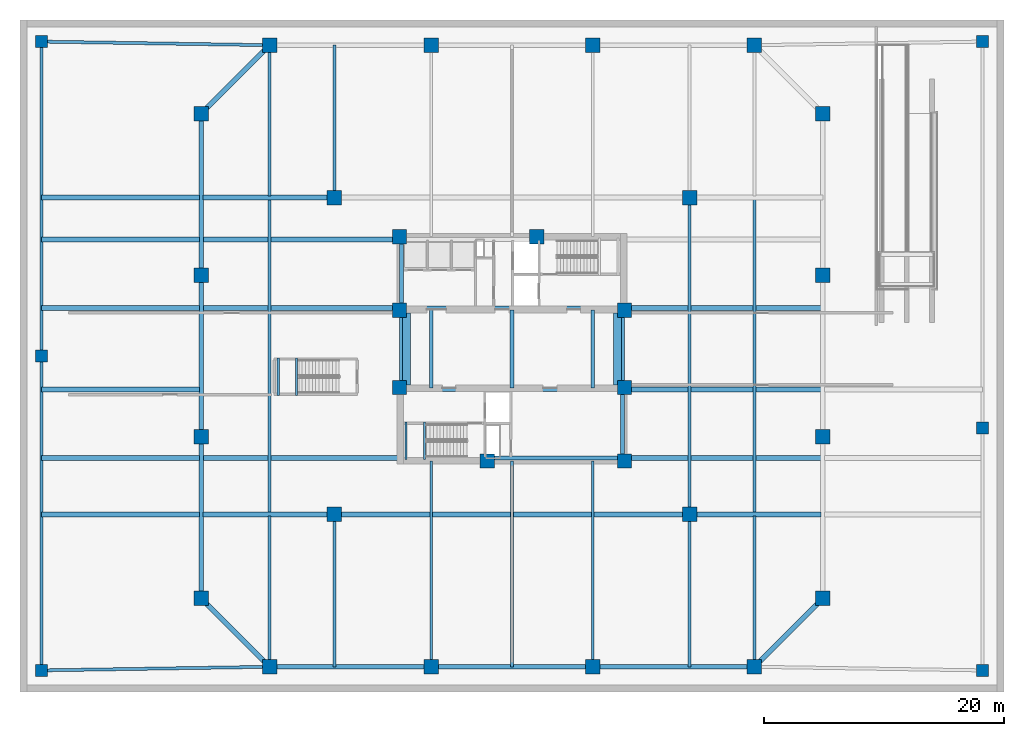
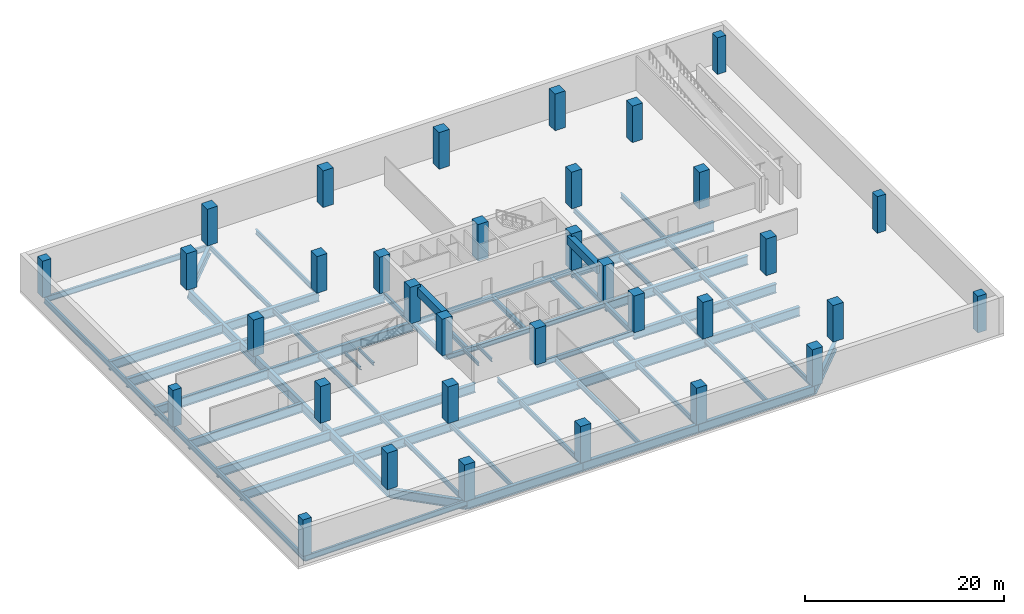
# One storey, part 1 of 8: 57 beams, 34 columns.
"""IFC4 building model written with IfcOpenShell, lengths in metres."""

import ifcopenshell
import ifcopenshell.guid

model = None  # the IFC model being written
_history = None  # IfcOwnerHistory: only IFC2X3 demands one
_inside = {}  # id of a spatial element -> (the spatial element, [elements in it])
_under = {}  # id of a project, library or spatial element -> (it, [spatial elements below it])
_declared = {}  # id of a project -> (the project, [libraries it declares])
_typed = {}  # id of a type object -> (the type object, [elements of that type])
_made_of = {}  # id of a material, layer set ... -> (it, [elements and type objects made of it])


def new_model(schema):
    """Start an empty IFC model of exactly this schema.

    Asked for "IFC4X3", IfcOpenShell would pick the latest addendum, in which some entities
    have other attributes; the version numbers below select the first issue.
    IFC2X3 requires an IfcOwnerHistory on every rooted entity: one is made here for all.
    """
    global model, _history
    if schema == "IFC4X3":
        model = ifcopenshell.file(schema_version=(4, 3, 0, 0))
    else:
        model = ifcopenshell.file(schema=schema)
    _inside.clear()
    _under.clear()
    _declared.clear()
    _typed.clear()
    _made_of.clear()
    _history = None
    if model.schema == "IFC2X3":
        org = make("IfcOrganization", Name="unknown")
        user = make(
            "IfcPersonAndOrganization",
            ThePerson=make("IfcPerson", FamilyName="unknown"),
            TheOrganization=org,
        )
        app = make(
            "IfcApplication",
            ApplicationDeveloper=org,
            Version="unknown",
            ApplicationFullName="unknown",
            ApplicationIdentifier="unknown",
        )
        _history = make(
            "IfcOwnerHistory",
            OwningUser=user,
            OwningApplication=app,
            ChangeAction="ADDED",
            CreationDate=0,
        )
    return model


def make(cls, **values):
    """One entity of the class cls with the attributes given. An attribute that is None is left unset."""
    return model.create_entity(
        cls, **{name: value for name, value in values.items() if value is not None}
    )


def rooted(cls, **values):
    """An entity with a GlobalId (a new one), such as an element, a storey or a relation."""
    return make(cls, GlobalId=ifcopenshell.guid.new(), OwnerHistory=_history, **values)


def si_unit(unit_type, name, prefix=None):
    """IfcSIUnit, for example si_unit("LENGTHUNIT", "METRE", prefix="MILLI")."""
    return make("IfcSIUnit", UnitType=unit_type, Prefix=prefix, Name=name)


def assignment(units):
    """IfcUnitAssignment: the units of a project."""
    return None if units is None else make("IfcUnitAssignment", Units=units)


def point(xyz):
    """IfcCartesianPoint."""
    return None if xyz is None else make("IfcCartesianPoint", Coordinates=xyz)


def direction(xyz):
    """IfcDirection."""
    return None if xyz is None else make("IfcDirection", DirectionRatios=xyz)


def frame(location, z_axis=None, x_axis=None):
    """IfcAxis2Placement3D, a coordinate frame: its origin and axes. An axis left out is left unset."""
    return make(
        "IfcAxis2Placement3D",
        Location=point(location),
        Axis=direction(z_axis),
        RefDirection=direction(x_axis),
    )


def frame_2d(location, x_axis=None):
    """IfcAxis2Placement2D, a coordinate frame in the plane: its origin and x axis."""
    return make(
        "IfcAxis2Placement2D", Location=point(location), RefDirection=direction(x_axis)
    )


def origin():
    """The frame at (0, 0, 0) with its axes left unset."""
    return frame((0.0, 0.0, 0.0))


def origin_2d():
    """The frame at (0, 0) in the plane with its x axis left unset."""
    return frame_2d((0.0, 0.0))


def place(relative_to, where):
    """IfcLocalPlacement: puts the frame where relative to a parent placement (None: the world)."""
    return make(
        "IfcLocalPlacement", PlacementRelTo=relative_to, RelativePlacement=where
    )


def context(
    kind, dimensions, precision=None, world=None, true_north=None, identifier=None
):
    """IfcGeometricRepresentationContext, for example the 3D "Model" context."""
    return make(
        "IfcGeometricRepresentationContext",
        ContextIdentifier=identifier,
        ContextType=kind,
        CoordinateSpaceDimension=dimensions,
        Precision=precision,
        WorldCoordinateSystem=world,
        TrueNorth=true_north,
    )


def subcontext(parent, identifier, kind, view, scale=None):
    """IfcGeometricRepresentationSubContext, for example "Body" below "Model"."""
    return make(
        "IfcGeometricRepresentationSubContext",
        ContextIdentifier=identifier,
        ContextType=kind,
        ParentContext=parent,
        TargetScale=scale,
        TargetView=view,
    )


def project(units=None, contexts=None):
    """IfcProject with its units and contexts."""
    return rooted(
        "IfcProject",
        Name="project",
        RepresentationContexts=contexts,
        UnitsInContext=assignment(units),
    )


def spatial(cls, under=None, at=None, **own):
    """A site, building, storey or space (cls), placed at a placement, below another one or the project."""
    s = rooted(cls, ObjectPlacement=at, **own)
    if under is not None:
        _under.setdefault(under.id(), (under, []))[1].append(s)
    return s


def profile(cls, at=None, kind="AREA", **sizes):
    """A parametric profile (cls). Its sizes go by their IFC names, for example OverallWidth=200.0."""
    return make(cls, ProfileType=kind, Position=at, **sizes)


def rectangle(**sizes):
    """IfcRectangleProfileDef."""
    return profile("IfcRectangleProfileDef", **sizes)


def i_section(**sizes):
    """IfcIShapeProfileDef."""
    return profile("IfcIShapeProfileDef", **sizes)


def extrude(swept, where, along, depth):
    """IfcExtrudedAreaSolid: the profile swept, set in the frame where, extruded along a direction by depth."""
    return make(
        "IfcExtrudedAreaSolid",
        SweptArea=swept,
        Position=where,
        ExtrudedDirection=direction(along),
        Depth=depth,
    )


def shape(context_of_items, identifier, shape_type, items):
    """IfcShapeRepresentation: the items that make up one representation, for example the "Body"."""
    return make(
        "IfcShapeRepresentation",
        ContextOfItems=context_of_items,
        RepresentationIdentifier=identifier,
        RepresentationType=shape_type,
        Items=items,
    )


def material(Name=None, Category=None):
    """IfcMaterial."""
    return make("IfcMaterial", Name=Name, Category=Category)


def material_profile(
    of_material, cross_section, Name=None, Category=None, Priority=None
):
    """IfcMaterialProfile: a cross section and its material."""
    return make(
        "IfcMaterialProfile",
        Name=Name,
        Material=of_material,
        Profile=cross_section,
        Priority=Priority,
        Category=Category,
    )


def profile_set(profiles, Name=None, composite=None):
    """IfcMaterialProfileSet."""
    return make(
        "IfcMaterialProfileSet",
        Name=Name,
        MaterialProfiles=profiles,
        CompositeProfile=composite,
    )


def made_of(thing, what):
    """Note that an element or type object is made of a material, layer set ...; save() writes the relation."""
    if what is not None:
        _made_of.setdefault(what.id(), (what, []))[1].append(thing)
    return thing


def type_object(cls, material=None, **own):
    """A type object (cls), such as IfcWallType, which elements share."""
    return made_of(rooted(cls, **own), material)


def element(
    cls,
    number,
    at=None,
    inside=None,
    cuts=None,
    type_object=None,
    material=None,
    context=None,
    identifier="Body",
    shape_type=None,
    held_by="IfcProductDefinitionShape",
    body=None,
    shapes=None,
    **own,
):
    """One element of the class cls, such as IfcWall. Its Tag is "e" and its number.

    at: its placement. inside: the storey or other place that contains it. cuts: it is an
    opening in that element (IfcRelVoidsElement). A single representation is given by context,
    identifier, shape_type and body (its items); several are given by shapes. held_by: the class
    of the entity that holds the representations. save() writes the other relations.
    """
    e = rooted(cls, Tag="e%d" % number, ObjectPlacement=at, **own)
    if body is not None:
        shapes = [shape(context, identifier, shape_type, body)]
    if shapes is not None:
        e.Representation = make(held_by, Representations=shapes)
    if inside is not None:
        _inside.setdefault(inside.id(), (inside, []))[1].append(e)
    if cuts is not None:
        rooted(
            "IfcRelVoidsElement", RelatingBuildingElement=cuts, RelatedOpeningElement=e
        )
    if type_object is not None:
        _typed.setdefault(type_object.id(), (type_object, []))[1].append(e)
    return made_of(e, material)


def aggregate(whole, parts):
    """IfcRelAggregates: a whole, such as a stair, and the parts it consists of."""
    return rooted("IfcRelAggregates", RelatingObject=whole, RelatedObjects=parts)


def save(model, path):
    """Write the relations noted so far, then the file.

    IfcRelAggregates (storeys below a building ...), IfcRelContainedInSpatialStructure (elements
    in a storey), IfcRelDefinesByType, IfcRelAssociatesMaterial and IfcRelDeclares: one each for
    every whole, place, type object, material and project.
    """
    for whole, parts in _under.values():
        aggregate(whole, parts)
    for where, things in _inside.values():
        rooted(
            "IfcRelContainedInSpatialStructure",
            RelatedElements=things,
            RelatingStructure=where,
        )
    for kind, things in _typed.values():
        rooted("IfcRelDefinesByType", RelatedObjects=things, RelatingType=kind)
    for what, things in _made_of.values():
        rooted("IfcRelAssociatesMaterial", RelatedObjects=things, RelatingMaterial=what)
    for by, libraries in _declared.values():
        rooted("IfcRelDeclares", RelatingContext=by, RelatedDefinitions=libraries)
    model.write(path)


model = new_model("IFC4")

# Units and contexts
model_context = context("Model", 3, precision=1e-05, world=origin(), true_north=direction((0.0, 1.0)))
body_context = subcontext(model_context, "Body", "Model", "MODEL_VIEW")
ifc_project = project(units=[si_unit("LENGTHUNIT", "METRE"), si_unit("AREAUNIT", "SQUARE_METRE"), si_unit("VOLUMEUNIT", "CUBIC_METRE"), si_unit("PLANEANGLEUNIT", "RADIAN"), si_unit("MASSUNIT", "GRAM", prefix="KILO")], contexts=[model_context])

# Site, building, storey
site_placement = place(None, origin())
site = spatial("IfcSite", under=ifc_project, at=site_placement, CompositionType="ELEMENT")
building_placement = place(site_placement, origin())
building = spatial("IfcBuilding", under=site, at=building_placement, Name="Qhalaya Broadcast Tower", CompositionType="ELEMENT")
storey_placement = place(building_placement, frame((0.0, 0.0, -4.5)))
storey = spatial("IfcBuildingStorey", under=building, at=storey_placement, Name="B01", CompositionType="ELEMENT", Elevation=-4.5)

# Columns
ifc_material_1 = material(Name="Concrete C60/75", Category="concrete")
ifc_material_profile_1 = material_profile(ifc_material_1, rectangle(XDim=1.0, YDim=1.0, at=origin_2d()), Name="RC-COL 1000x1000")
ifc_profile_set_1 = profile_set([ifc_material_profile_1], Name="Concrete C60/75")
column_type_1 = type_object("IfcColumnType", Name="RC Podium Column C09", PredefinedType="COLUMN", material=ifc_profile_set_1)
for number, where, z_axis, x_axis, name in (
    (1, (-39.199951171875, 0.0, 0.0), (0.0, 0.0, 1.0), (1.0, 0.0, 0.0), "B01 Column COL-E1"),
    (2, (39.199951171875, -6.0, 0.0), (0.0, 0.0, 1.0), (1.0, 0.0, 0.0), "B01 Column COL-E2"),
    (3, (-39.199951171875, -26.199951171875, 0.0), (0.0, 0.0, 1.0), (1.0, 0.0, 0.0), "B01 Column COL-E3"),
    (4, (39.199951171875, -26.199951171875, 0.0), (0.0, 0.0, 1.0), (1.0, 0.0, 0.0), "B01 Column COL-E4"),
    (5, (-39.199951171875, 26.199951171875, 0.0), (0.0, 0.0, 1.0), (1.0, 0.0, 0.0), "B01 Column COL-E5"),
    (6, (39.199951171875, 26.199951171875, 0.0), (0.0, 0.0, 1.0), (1.0, 0.0, 0.0), "B01 Column COL-E6"),
):
    element("IfcColumn", number, at=place(storey_placement, frame(where, z_axis=z_axis, x_axis=x_axis)), inside=storey, type_object=column_type_1, Name=name, PredefinedType="COLUMN", context=body_context, shape_type="SweptSolid", body=[
        extrude(rectangle(XDim=1.0, YDim=1.0, at=origin_2d()), origin(), (0.0, 0.0, 1.0), 4.5),
    ])
ifc_material_profile_2 = material_profile(ifc_material_1, rectangle(XDim=1.199951171875, YDim=1.199951171875, at=origin_2d()), Name="RC-COL 1200x1200")
ifc_profile_set_2 = profile_set([ifc_material_profile_2], Name="Concrete C60/75")
column_type_2 = type_object("IfcColumnType", Name="RC Substructure Column C08", PredefinedType="COLUMN", material=ifc_profile_set_2)
for number, where, z_axis, x_axis, name in (
    (7, (-14.800048828125, -13.199951171875, 0.0), (0.0, 0.0, 1.0), (1.0, 0.0, 0.0), "B01 Column COL-GR1"),
    (8, (14.800048828125, -13.199951171875, 0.0), (0.0, 0.0, 1.0), (1.0, 0.0, 0.0), "B01 Column COL-GR2"),
    (9, (-14.800048828125, 13.199951171875, 0.0), (0.0, 0.0, 1.0), (1.0, 0.0, 0.0), "B01 Column COL-GR3"),
    (10, (14.800048828125, 13.199951171875, 0.0), (0.0, 0.0, 1.0), (1.0, 0.0, 0.0), "B01 Column COL-GR4"),
    (11, (-20.199951171875, -25.89990234375, 0.0), (0.0, 0.0, 1.0), (1.0, 0.0, 0.0), "B01 Column COL-B1P01"),
    (12, (-6.7333984375, -25.89990234375, 0.0), (0.0, 0.0, 1.0), (1.0, 0.0, 0.0), "B01 Column COL-B1P02"),
    (13, (6.7333984375, -25.89990234375, 0.0), (0.0, 0.0, 1.0), (1.0, 0.0, 0.0), "B01 Column COL-B1P03"),
    (14, (20.199951171875, -25.89990234375, 0.0), (0.0, 0.0, 1.0), (1.0, 0.0, 0.0), "B01 Column COL-B1P04"),
    (15, (25.89990234375, -20.199951171875, 0.0), (0.0, 0.0, 1.0), (0.0, 1.0, 0.0), "B01 Column COL-B1P05"),
    (16, (25.89990234375, -6.7333984375, 0.0), (0.0, 0.0, 1.0), (0.0, 1.0, 0.0), "B01 Column COL-B1P06"),
    (17, (25.89990234375, 6.7333984375, 0.0), (0.0, 0.0, 1.0), (0.0, 1.0, 0.0), "B01 Column COL-B1P07"),
    (18, (25.89990234375, 20.199951171875, 0.0), (0.0, 0.0, 1.0), (0.0, 1.0, 0.0), "B01 Column COL-B1P08"),
    (19, (20.199951171875, 25.89990234375, 0.0), (0.0, 0.0, 1.0), (1.0, 0.0, 0.0), "B01 Column COL-B1P09"),
    (20, (6.7333984375, 25.89990234375, 0.0), (0.0, 0.0, 1.0), (1.0, 0.0, 0.0), "B01 Column COL-B1P10"),
    (21, (-6.7333984375, 25.89990234375, 0.0), (0.0, 0.0, 1.0), (1.0, 0.0, 0.0), "B01 Column COL-B1P11"),
    (22, (-20.199951171875, 25.89990234375, 0.0), (0.0, 0.0, 1.0), (1.0, 0.0, 0.0), "B01 Column COL-B1P12"),
    (23, (-25.89990234375, 20.199951171875, 0.0), (0.0, 0.0, 1.0), (0.0, 1.0, 0.0), "B01 Column COL-B1P13"),
    (24, (-25.89990234375, 6.7333984375, 0.0), (0.0, 0.0, 1.0), (0.0, 1.0, 0.0), "B01 Column COL-B1P14"),
    (25, (-25.89990234375, -6.7333984375, 0.0), (0.0, 0.0, 1.0), (0.0, 1.0, 0.0), "B01 Column COL-B1P15"),
    (26, (-25.89990234375, -20.199951171875, 0.0), (0.0, 0.0, 1.0), (0.0, 1.0, 0.0), "B01 Column COL-B1P16"),
    (27, (-9.375, 9.949951171875, 0.0), (0.0, 0.0, 1.0), (1.0, 0.0, 0.0), "B01 Column COL-CC1"),
    (28, (2.050048828125, 9.949951171875, 0.0), (0.0, 0.0, 1.0), (1.0, 0.0, 0.0), "B01 Column COL-CC2"),
    (29, (-9.375, 3.824951171875, 0.0), (0.0, 0.0, 1.0), (1.0, 0.0, 0.0), "B01 Column COL-CC3"),
    (30, (9.375, 3.824951171875, 0.0), (0.0, 0.0, 1.0), (1.0, 0.0, 0.0), "B01 Column COL-CC4"),
    (31, (-9.375, -2.625, 0.0), (0.0, 0.0, 1.0), (1.0, 0.0, 0.0), "B01 Column COL-CC5"),
    (32, (9.375, -2.625, 0.0), (0.0, 0.0, 1.0), (1.0, 0.0, 0.0), "B01 Column COL-CC6"),
    (33, (-2.050048828125, -8.75, 0.0), (0.0, 0.0, 1.0), (1.0, 0.0, 0.0), "B01 Column COL-CC7"),
    (34, (9.375, -8.75, 0.0), (0.0, 0.0, 1.0), (1.0, 0.0, 0.0), "B01 Column COL-CC8"),
):
    element("IfcColumn", number, at=place(storey_placement, frame(where, z_axis=z_axis, x_axis=x_axis)), inside=storey, type_object=column_type_2, Name=name, PredefinedType="COLUMN", context=body_context, shape_type="SweptSolid", body=[
        extrude(rectangle(XDim=1.199951171875, YDim=1.199951171875, at=origin_2d()), origin(), (0.0, 0.0, 1.0), 4.5),
    ])

# Beams
ifc_material_2 = material(Name="Structural Steel ASTM A992 Grade 50", Category="steel")
ifc_material_profile_3 = material_profile(ifc_material_2, i_section(OverallWidth=0.22802734375, OverallDepth=0.60693359375, WebThickness=0.01123046875, FlangeThickness=0.017333984375, at=origin_2d()), Name="W24X76")
ifc_profile_set_3 = profile_set([ifc_material_profile_3], Name="Structural Steel ASTM A992 Grade 50")
beam_type_1 = type_object("IfcBeamType", Name="Composite Floor Joist J01", PredefinedType="JOIST", material=ifc_profile_set_3)
beam_1_placement = place(storey_placement, frame((-20.199951171875, -25.89990234375, -0.62353515625), z_axis=(0.0, 1.0, 0.0), x_axis=(-1.0, 0.0, 0.0)))
element("IfcBeam", 35, at=beam_1_placement, inside=storey, type_object=beam_type_1, Name="B01 J01 B01-JS-S-20.2", PredefinedType="JOIST", context=body_context, shape_type="SweptSolid", body=[
    extrude(i_section(OverallWidth=0.22802734375, OverallDepth=0.60693359375, WebThickness=0.01123046875, FlangeThickness=0.017333984375, at=origin_2d()), origin(), (0.0, 0.0, 1.0), 12.559814453125),
])
beam_2_placement = place(storey_placement, frame((-20.199951171875, -13.06005859375, -0.62353515625), z_axis=(0.0, 1.0, 0.0), x_axis=(-1.0, 0.0, 0.0)))
element("IfcBeam", 36, at=beam_2_placement, inside=storey, type_object=beam_type_1, Name="B01 J01 B01-JS-M-20.2", PredefinedType="JOIST", context=body_context, shape_type="SweptSolid", body=[
    extrude(i_section(OverallWidth=0.22802734375, OverallDepth=0.60693359375, WebThickness=0.01123046875, FlangeThickness=0.017333984375, at=origin_2d()), origin(), (0.0, 0.0, 1.0), 26.1201171875),
])
beam_3_placement = place(storey_placement, frame((-20.199951171875, 13.340087890625, -0.62353515625), z_axis=(0.0, 1.0, 0.0), x_axis=(-1.0, 0.0, 0.0)))
element("IfcBeam", 37, at=beam_3_placement, inside=storey, type_object=beam_type_1, Name="B01 J01 B01-JS-N-20.2", PredefinedType="JOIST", context=body_context, shape_type="SweptSolid", body=[
    extrude(i_section(OverallWidth=0.22802734375, OverallDepth=0.60693359375, WebThickness=0.01123046875, FlangeThickness=0.017333984375, at=origin_2d()), origin(), (0.0, 0.0, 1.0), 12.559814453125),
])
for number, where, z_axis, x_axis, name in (
    (38, (-14.800048828125, -25.89990234375, -0.62353515625), (0.0, 1.0, 0.0), (-1.0, 0.0, 0.0), "B01 J01 B01-JS-S-14.8"),
    (39, (-14.800048828125, 13.199951171875, -0.62353515625), (0.0, 1.0, 0.0), (-1.0, 0.0, 0.0), "B01 J01 B01-JS-N-14.8"),
):
    element("IfcBeam", number, at=place(storey_placement, frame(where, z_axis=z_axis, x_axis=x_axis)), inside=storey, type_object=beam_type_1, Name=name, PredefinedType="JOIST", context=body_context, shape_type="SweptSolid", body=[
        extrude(i_section(OverallWidth=0.22802734375, OverallDepth=0.60693359375, WebThickness=0.01123046875, FlangeThickness=0.017333984375, at=origin_2d()), origin(), (0.0, 0.0, 1.0), 12.699951171875),
    ])
for number, where, z_axis, x_axis, name in (
    (40, (-6.7333984375, -25.89990234375, -0.62353515625), (0.0, 1.0, 0.0), (-1.0, 0.0, 0.0), "B01 J01 B01-JS-CS-6.7"),
    (41, (0.0, -25.89990234375, -0.62353515625), (0.0, 1.0, 0.0), (-1.0, 0.0, 0.0), "B01 J01 B01-JS-CS+0.0"),
    (42, (6.7333984375, -25.89990234375, -0.62353515625), (0.0, 1.0, 0.0), (-1.0, 0.0, 0.0), "B01 J01 B01-JS-CS+6.7"),
):
    element("IfcBeam", number, at=place(storey_placement, frame(where, z_axis=z_axis, x_axis=x_axis)), inside=storey, type_object=beam_type_1, Name=name, PredefinedType="JOIST", context=body_context, shape_type="SweptSolid", body=[
        extrude(i_section(OverallWidth=0.22802734375, OverallDepth=0.60693359375, WebThickness=0.01123046875, FlangeThickness=0.017333984375, at=origin_2d()), origin(), (0.0, 0.0, 1.0), 17.14990234375),
    ])
beam_4_placement = place(storey_placement, frame((14.800048828125, -25.89990234375, -0.62353515625), z_axis=(0.0, 1.0, 0.0), x_axis=(-1.0, 0.0, 0.0)))
element("IfcBeam", 43, at=beam_4_placement, inside=storey, type_object=beam_type_1, Name="B01 J01 B01-JS-S+14.8", PredefinedType="JOIST", context=body_context, shape_type="SweptSolid", body=[
    extrude(i_section(OverallWidth=0.22802734375, OverallDepth=0.60693359375, WebThickness=0.01123046875, FlangeThickness=0.017333984375, at=origin_2d()), origin(), (0.0, 0.0, 1.0), 12.699951171875),
])
beam_5_placement = place(storey_placement, frame((14.800048828125, -13.199951171875, -0.62353515625), z_axis=(0.0, 1.0, 0.0), x_axis=(-1.0, 0.0, 0.0)))
element("IfcBeam", 44, at=beam_5_placement, inside=storey, type_object=beam_type_1, Name="B01 J01 B01-JS-M+14.8", PredefinedType="JOIST", context=body_context, shape_type="SweptSolid", body=[
    extrude(i_section(OverallWidth=0.22802734375, OverallDepth=0.60693359375, WebThickness=0.01123046875, FlangeThickness=0.017333984375, at=origin_2d()), origin(), (0.0, 0.0, 1.0), 26.39990234375),
])
beam_6_placement = place(storey_placement, frame((20.199951171875, -25.89990234375, -0.62353515625), z_axis=(0.0, 1.0, 0.0), x_axis=(-1.0, 0.0, 0.0)))
element("IfcBeam", 45, at=beam_6_placement, inside=storey, type_object=beam_type_1, Name="B01 J01 B01-JS-S+20.2", PredefinedType="JOIST", context=body_context, shape_type="SweptSolid", body=[
    extrude(i_section(OverallWidth=0.22802734375, OverallDepth=0.60693359375, WebThickness=0.01123046875, FlangeThickness=0.017333984375, at=origin_2d()), origin(), (0.0, 0.0, 1.0), 12.559814453125),
])
beam_7_placement = place(storey_placement, frame((20.199951171875, -13.06005859375, -0.62353515625), z_axis=(0.0, 1.0, 0.0), x_axis=(-1.0, 0.0, 0.0)))
element("IfcBeam", 46, at=beam_7_placement, inside=storey, type_object=beam_type_1, Name="B01 J01 B01-JS-M+20.2", PredefinedType="JOIST", context=body_context, shape_type="SweptSolid", body=[
    extrude(i_section(OverallWidth=0.22802734375, OverallDepth=0.60693359375, WebThickness=0.01123046875, FlangeThickness=0.017333984375, at=origin_2d()), origin(), (0.0, 0.0, 1.0), 26.1201171875),
])
ifc_material_profile_4 = material_profile(ifc_material_2, i_section(OverallWidth=0.323974609375, OverallDepth=0.612060546875, WebThickness=0.0126953125, FlangeThickness=0.01904296875, at=origin_2d()), Name="W24X104")
ifc_profile_set_4 = profile_set([ifc_material_profile_4], Name="Structural Steel ASTM A992 Grade 50")
beam_type_2 = type_object("IfcBeamType", Name="Core Frame Tie Beam B04", PredefinedType="BEAM", material=ifc_profile_set_4)
beam_8_placement = place(storey_placement, frame((-9.199951171875, 4.0, -0.6259765625), z_axis=(1.0, 0.0, 0.0), x_axis=(0.0, 1.0, 0.0)))
element("IfcBeam", 47, at=beam_8_placement, inside=storey, type_object=beam_type_2, Name="B01 B04 B01-CCN1", PredefinedType="BEAM", context=body_context, shape_type="SweptSolid", body=[
    extrude(i_section(OverallWidth=0.323974609375, OverallDepth=0.612060546875, WebThickness=0.0126953125, FlangeThickness=0.01904296875, at=origin_2d()), origin(), (0.0, 0.0, 1.0), 18.39990234375),
])
beam_9_placement = place(storey_placement, frame((-9.199951171875, 4.0, -0.6259765625), z_axis=(0.0, 1.0, 0.0), x_axis=(-1.0, 0.0, 0.0)))
element("IfcBeam", 48, at=beam_9_placement, inside=storey, type_object=beam_type_2, Name="B01 B04 B01-CCN2", PredefinedType="BEAM", context=body_context, shape_type="SweptSolid", body=[
    extrude(i_section(OverallWidth=0.323974609375, OverallDepth=0.612060546875, WebThickness=0.0126953125, FlangeThickness=0.01904296875, at=origin_2d()), origin(), (0.0, 0.0, 1.0), 5.699951171875),
])
beam_10_placement = place(storey_placement, frame((-9.199951171875, -2.800048828125, -0.6259765625), z_axis=(1.0, 0.0, 0.0), x_axis=(0.0, 1.0, 0.0)))
element("IfcBeam", 49, at=beam_10_placement, inside=storey, type_object=beam_type_2, Name="B01 B04 B01-CCS1", PredefinedType="BEAM", context=body_context, shape_type="SweptSolid", body=[
    extrude(i_section(OverallWidth=0.323974609375, OverallDepth=0.612060546875, WebThickness=0.0126953125, FlangeThickness=0.01904296875, at=origin_2d()), origin(), (0.0, 0.0, 1.0), 18.39990234375),
])
beam_11_placement = place(storey_placement, frame((9.199951171875, -8.5, -0.6259765625), z_axis=(0.0, 1.0, 0.0), x_axis=(-1.0, 0.0, 0.0)))
element("IfcBeam", 50, at=beam_11_placement, inside=storey, type_object=beam_type_2, Name="B01 B04 B01-CCS2", PredefinedType="BEAM", context=body_context, shape_type="SweptSolid", body=[
    extrude(i_section(OverallWidth=0.323974609375, OverallDepth=0.612060546875, WebThickness=0.0126953125, FlangeThickness=0.01904296875, at=origin_2d()), origin(), (0.0, 0.0, 1.0), 5.699951171875),
])
beam_12_placement = place(storey_placement, frame((-2.050048828125, -8.5, -0.6259765625), z_axis=(1.0, 0.0, 0.0), x_axis=(0.0, 1.0, 0.0)))
element("IfcBeam", 51, at=beam_12_placement, inside=storey, type_object=beam_type_2, Name="B01 B04 B01-CCS3", PredefinedType="BEAM", context=body_context, shape_type="SweptSolid", body=[
    extrude(i_section(OverallWidth=0.323974609375, OverallDepth=0.612060546875, WebThickness=0.0126953125, FlangeThickness=0.01904296875, at=origin_2d()), origin(), (0.0, 0.0, 1.0), 11.25),
])
for number, where, z_axis, x_axis, name in (
    (52, (-9.199951171875, -2.800048828125, -0.6259765625), (0.0, 1.0, 0.0), (-1.0, 0.0, 0.0), "B01 B04 B01-CCW"),
    (53, (9.199951171875, -2.800048828125, -0.6259765625), (0.0, 1.0, 0.0), (-1.0, 0.0, 0.0), "B01 B04 B01-CCE"),
):
    element("IfcBeam", number, at=place(storey_placement, frame(where, z_axis=z_axis, x_axis=x_axis)), inside=storey, type_object=beam_type_2, Name=name, PredefinedType="BEAM", context=body_context, shape_type="SweptSolid", body=[
        extrude(i_section(OverallWidth=0.323974609375, OverallDepth=0.612060546875, WebThickness=0.0126953125, FlangeThickness=0.01904296875, at=origin_2d()), origin(), (0.0, 0.0, 1.0), 6.800048828125),
    ])
for number, where, z_axis, x_axis, name in (
    (54, (-6.7333984375, -2.64990234375, -0.6259765625), (0.0, 1.0, 0.0), (-1.0, 0.0, 0.0), "B01 B04 B01-JS-CM-6.7"),
    (55, (0.0, -2.64990234375, -0.6259765625), (0.0, 1.0, 0.0), (-1.0, 0.0, 0.0), "B01 B04 B01-JS-CM+0.0"),
    (56, (6.7333984375, -2.64990234375, -0.6259765625), (0.0, 1.0, 0.0), (-1.0, 0.0, 0.0), "B01 B04 B01-JS-CM+6.7"),
):
    element("IfcBeam", number, at=place(storey_placement, frame(where, z_axis=z_axis, x_axis=x_axis)), inside=storey, type_object=beam_type_2, Name=name, PredefinedType="BEAM", context=body_context, shape_type="SweptSolid", body=[
        extrude(i_section(OverallWidth=0.323974609375, OverallDepth=0.612060546875, WebThickness=0.0126953125, FlangeThickness=0.01904296875, at=origin_2d()), origin(), (0.0, 0.0, 1.0), 6.5),
    ])
ifc_material_profile_5 = material_profile(ifc_material_2, i_section(OverallWidth=0.25390625, OverallDepth=0.68310546875, WebThickness=0.012451171875, FlangeThickness=0.01904296875, at=origin_2d()), Name="W27X94")
ifc_profile_set_5 = profile_set([ifc_material_profile_5], Name="Structural Steel ASTM A992 Grade 50")
beam_type_3 = type_object("IfcBeamType", Name="Perimeter Ring Spandrel Beam SP1", PredefinedType="SPANDREL", material=ifc_profile_set_5)
for number, where, z_axis, x_axis, name in (
    (57, (-39.199951171875, -26.199951171875, -0.66162109375), (0.999875328998, 0.015790074776, 0.0), (-0.015790074776, 0.999875328998, 0.0), "B01 SP1 B01-SP-S1"),
    (58, (-39.199951171875, 26.199951171875, -0.66162109375), (0.999875328998, -0.015790074776, 0.0), (0.015790074776, 0.999875328998, 0.0), "B01 SP1 B01-SP-N1"),
):
    element("IfcBeam", number, at=place(storey_placement, frame(where, z_axis=z_axis, x_axis=x_axis)), inside=storey, type_object=beam_type_3, Name=name, PredefinedType="SPANDREL", context=body_context, shape_type="SweptSolid", body=[
        extrude(i_section(OverallWidth=0.25390625, OverallDepth=0.68310546875, WebThickness=0.012451171875, FlangeThickness=0.01904296875, at=origin_2d()), origin(), (0.0, 0.0, 1.0), 19.00244140625),
    ])
for number, where, z_axis, x_axis, name in (
    (59, (-39.199951171875, -26.199951171875, -0.66162109375), (0.0, 1.0, 0.0), (-1.0, 0.0, 0.0), "B01 SP1 B01-SP-W1"),
    (60, (-39.199951171875, 0.0, -0.66162109375), (0.0, 1.0, 0.0), (-1.0, 0.0, 0.0), "B01 SP1 B01-SP-W2"),
):
    element("IfcBeam", number, at=place(storey_placement, frame(where, z_axis=z_axis, x_axis=x_axis)), inside=storey, type_object=beam_type_3, Name=name, PredefinedType="SPANDREL", context=body_context, shape_type="SweptSolid", body=[
        extrude(i_section(OverallWidth=0.25390625, OverallDepth=0.68310546875, WebThickness=0.012451171875, FlangeThickness=0.01904296875, at=origin_2d()), origin(), (0.0, 0.0, 1.0), 26.199951171875),
    ])
ifc_material_profile_6 = material_profile(ifc_material_2, i_section(OverallWidth=0.404052734375, OverallDepth=1.117919921875, WebThickness=0.026123046875, FlangeThickness=0.044921875, at=origin_2d()), Name="W44X335")
ifc_profile_set_6 = profile_set([ifc_material_profile_6], Name="Structural Steel ASTM A992 Grade 50")
beam_type_4 = type_object("IfcBeamType", Name="Podium Long-Span Primary Girder PG1", PredefinedType="USERDEFINED", material=ifc_profile_set_6)
beam_13_placement = place(storey_placement, frame((-20.199951171875, -25.89990234375, -0.87890625), z_axis=(1.0, 0.0, 0.0), x_axis=(0.0, 1.0, 0.0)))
element("IfcBeam", 61, at=beam_13_placement, inside=storey, type_object=beam_type_4, Name="B01 PG1 B01-PG-R01", ObjectType="GIRDER", PredefinedType="USERDEFINED", context=body_context, shape_type="SweptSolid", body=[
    extrude(i_section(OverallWidth=0.404052734375, OverallDepth=1.117919921875, WebThickness=0.026123046875, FlangeThickness=0.044921875, at=origin_2d()), origin(), (0.0, 0.0, 1.0), 13.466552734375),
])
beam_14_placement = place(storey_placement, frame((-6.7333984375, -25.89990234375, -0.87890625), z_axis=(1.0, 0.0, 0.0), x_axis=(0.0, 1.0, 0.0)))
element("IfcBeam", 62, at=beam_14_placement, inside=storey, type_object=beam_type_4, Name="B01 PG1 B01-PG-R02", ObjectType="GIRDER", PredefinedType="USERDEFINED", context=body_context, shape_type="SweptSolid", body=[
    extrude(i_section(OverallWidth=0.404052734375, OverallDepth=1.117919921875, WebThickness=0.026123046875, FlangeThickness=0.044921875, at=origin_2d()), origin(), (0.0, 0.0, 1.0), 13.466796875),
])
beam_15_placement = place(storey_placement, frame((6.7333984375, -25.89990234375, -0.87890625), z_axis=(1.0, 0.0, 0.0), x_axis=(0.0, 1.0, 0.0)))
element("IfcBeam", 63, at=beam_15_placement, inside=storey, type_object=beam_type_4, Name="B01 PG1 B01-PG-R03", ObjectType="GIRDER", PredefinedType="USERDEFINED", context=body_context, shape_type="SweptSolid", body=[
    extrude(i_section(OverallWidth=0.404052734375, OverallDepth=1.117919921875, WebThickness=0.026123046875, FlangeThickness=0.044921875, at=origin_2d()), origin(), (0.0, 0.0, 1.0), 13.466552734375),
])
for number, where, z_axis, x_axis, name in (
    (64, (20.199951171875, -25.89990234375, -0.87890625), (0.707106781187, 0.707106781187, 0.0), (-0.707106781187, 0.707106781187, 0.0), "B01 PG1 B01-PG-R04"),
    (65, (-20.199951171875, 25.89990234375, -0.87890625), (-0.707106781187, -0.707106781187, 0.0), (0.707106781187, -0.707106781187, 0.0), "B01 PG1 B01-PG-R12"),
):
    element("IfcBeam", number, at=place(storey_placement, frame(where, z_axis=z_axis, x_axis=x_axis)), inside=storey, type_object=beam_type_4, Name=name, ObjectType="GIRDER", PredefinedType="USERDEFINED", context=body_context, shape_type="SweptSolid", body=[
        extrude(i_section(OverallWidth=0.404052734375, OverallDepth=1.117919921875, WebThickness=0.026123046875, FlangeThickness=0.044921875, at=origin_2d()), origin(), (0.0, 0.0, 1.0), 8.06103515625),
    ])
beam_16_placement = place(storey_placement, frame((-25.89990234375, 20.199951171875, -0.87890625), z_axis=(0.0, -1.0, 0.0), x_axis=(1.0, 0.0, 0.0)))
element("IfcBeam", 66, at=beam_16_placement, inside=storey, type_object=beam_type_4, Name="B01 PG1 B01-PG-R13", ObjectType="GIRDER", PredefinedType="USERDEFINED", context=body_context, shape_type="SweptSolid", body=[
    extrude(i_section(OverallWidth=0.404052734375, OverallDepth=1.117919921875, WebThickness=0.026123046875, FlangeThickness=0.044921875, at=origin_2d()), origin(), (0.0, 0.0, 1.0), 13.466552734375),
])
beam_17_placement = place(storey_placement, frame((-25.89990234375, 6.7333984375, -0.87890625), z_axis=(0.0, -1.0, 0.0), x_axis=(1.0, 0.0, 0.0)))
element("IfcBeam", 67, at=beam_17_placement, inside=storey, type_object=beam_type_4, Name="B01 PG1 B01-PG-R14", ObjectType="GIRDER", PredefinedType="USERDEFINED", context=body_context, shape_type="SweptSolid", body=[
    extrude(i_section(OverallWidth=0.404052734375, OverallDepth=1.117919921875, WebThickness=0.026123046875, FlangeThickness=0.044921875, at=origin_2d()), origin(), (0.0, 0.0, 1.0), 13.466796875),
])
beam_18_placement = place(storey_placement, frame((-25.89990234375, -6.7333984375, -0.87890625), z_axis=(0.0, -1.0, 0.0), x_axis=(1.0, 0.0, 0.0)))
element("IfcBeam", 68, at=beam_18_placement, inside=storey, type_object=beam_type_4, Name="B01 PG1 B01-PG-R15", ObjectType="GIRDER", PredefinedType="USERDEFINED", context=body_context, shape_type="SweptSolid", body=[
    extrude(i_section(OverallWidth=0.404052734375, OverallDepth=1.117919921875, WebThickness=0.026123046875, FlangeThickness=0.044921875, at=origin_2d()), origin(), (0.0, 0.0, 1.0), 13.466552734375),
])
beam_19_placement = place(storey_placement, frame((-25.89990234375, -20.199951171875, -0.87890625), z_axis=(0.707106781187, -0.707106781187, 0.0), x_axis=(0.707106781187, 0.707106781187, 0.0)))
element("IfcBeam", 69, at=beam_19_placement, inside=storey, type_object=beam_type_4, Name="B01 PG1 B01-PG-R16", ObjectType="GIRDER", PredefinedType="USERDEFINED", context=body_context, shape_type="SweptSolid", body=[
    extrude(i_section(OverallWidth=0.404052734375, OverallDepth=1.117919921875, WebThickness=0.026123046875, FlangeThickness=0.044921875, at=origin_2d()), origin(), (0.0, 0.0, 1.0), 8.06103515625),
])
beam_20_placement = place(storey_placement, frame((-39.199951171875, -13.199951171875, -0.87890625), z_axis=(1.0, 0.0, 0.0), x_axis=(0.0, 1.0, 0.0)))
element("IfcBeam", 70, at=beam_20_placement, inside=storey, type_object=beam_type_4, Name="B01 PG1 B01-PG-GS1", ObjectType="GIRDER", PredefinedType="USERDEFINED", context=body_context, shape_type="SweptSolid", body=[
    extrude(i_section(OverallWidth=0.404052734375, OverallDepth=1.117919921875, WebThickness=0.026123046875, FlangeThickness=0.044921875, at=origin_2d()), origin(), (0.0, 0.0, 1.0), 13.159912109375),
])
beam_21_placement = place(storey_placement, frame((-25.760009765625, -13.199951171875, -0.87890625), z_axis=(1.0, 0.0, 0.0), x_axis=(0.0, 1.0, 0.0)))
element("IfcBeam", 71, at=beam_21_placement, inside=storey, type_object=beam_type_4, Name="B01 PG1 B01-PG-GS2", ObjectType="GIRDER", PredefinedType="USERDEFINED", context=body_context, shape_type="SweptSolid", body=[
    extrude(i_section(OverallWidth=0.404052734375, OverallDepth=1.117919921875, WebThickness=0.026123046875, FlangeThickness=0.044921875, at=origin_2d()), origin(), (0.0, 0.0, 1.0), 10.9599609375),
])
beam_22_placement = place(storey_placement, frame((-14.800048828125, -13.199951171875, -0.87890625), z_axis=(1.0, 0.0, 0.0), x_axis=(0.0, 1.0, 0.0)))
element("IfcBeam", 72, at=beam_22_placement, inside=storey, type_object=beam_type_4, Name="B01 PG1 B01-PG-GS3", ObjectType="GIRDER", PredefinedType="USERDEFINED", context=body_context, shape_type="SweptSolid", body=[
    extrude(i_section(OverallWidth=0.404052734375, OverallDepth=1.117919921875, WebThickness=0.026123046875, FlangeThickness=0.044921875, at=origin_2d()), origin(), (0.0, 0.0, 1.0), 29.60009765625),
])
beam_23_placement = place(storey_placement, frame((14.800048828125, -13.199951171875, -0.87890625), z_axis=(1.0, 0.0, 0.0), x_axis=(0.0, 1.0, 0.0)))
element("IfcBeam", 73, at=beam_23_placement, inside=storey, type_object=beam_type_4, Name="B01 PG1 B01-PG-GS4", ObjectType="GIRDER", PredefinedType="USERDEFINED", context=body_context, shape_type="SweptSolid", body=[
    extrude(i_section(OverallWidth=0.404052734375, OverallDepth=1.117919921875, WebThickness=0.026123046875, FlangeThickness=0.044921875, at=origin_2d()), origin(), (0.0, 0.0, 1.0), 10.9599609375),
])
beam_24_placement = place(storey_placement, frame((-39.199951171875, 13.199951171875, -0.87890625), z_axis=(1.0, 0.0, 0.0), x_axis=(0.0, 1.0, 0.0)))
element("IfcBeam", 74, at=beam_24_placement, inside=storey, type_object=beam_type_4, Name="B01 PG1 B01-PG-GN1", ObjectType="GIRDER", PredefinedType="USERDEFINED", context=body_context, shape_type="SweptSolid", body=[
    extrude(i_section(OverallWidth=0.404052734375, OverallDepth=1.117919921875, WebThickness=0.026123046875, FlangeThickness=0.044921875, at=origin_2d()), origin(), (0.0, 0.0, 1.0), 13.159912109375),
])
beam_25_placement = place(storey_placement, frame((-25.760009765625, 13.199951171875, -0.87890625), z_axis=(1.0, 0.0, 0.0), x_axis=(0.0, 1.0, 0.0)))
element("IfcBeam", 75, at=beam_25_placement, inside=storey, type_object=beam_type_4, Name="B01 PG1 B01-PG-GN2", ObjectType="GIRDER", PredefinedType="USERDEFINED", context=body_context, shape_type="SweptSolid", body=[
    extrude(i_section(OverallWidth=0.404052734375, OverallDepth=1.117919921875, WebThickness=0.026123046875, FlangeThickness=0.044921875, at=origin_2d()), origin(), (0.0, 0.0, 1.0), 10.9599609375),
])
beam_26_placement = place(storey_placement, frame((-39.199951171875, -8.5, -0.87890625), z_axis=(1.0, 0.0, 0.0), x_axis=(0.0, 1.0, 0.0)))
element("IfcBeam", 76, at=beam_26_placement, inside=storey, type_object=beam_type_4, Name="B01 PG1 B01-PG-W1A", ObjectType="GIRDER", PredefinedType="USERDEFINED", context=body_context, shape_type="SweptSolid", body=[
    extrude(i_section(OverallWidth=0.404052734375, OverallDepth=1.117919921875, WebThickness=0.026123046875, FlangeThickness=0.044921875, at=origin_2d()), origin(), (0.0, 0.0, 1.0), 13.159912109375),
])
for number, where, z_axis, x_axis, name in (
    (77, (-25.760009765625, -8.5, -0.87890625), (1.0, 0.0, 0.0), (0.0, 1.0, 0.0), "B01 PG1 B01-PG-W1B"),
    (78, (9.199951171875, -8.5, -0.87890625), (1.0, 0.0, 0.0), (0.0, 1.0, 0.0), "B01 PG1 B01-PG-E1A"),
):
    element("IfcBeam", number, at=place(storey_placement, frame(where, z_axis=z_axis, x_axis=x_axis)), inside=storey, type_object=beam_type_4, Name=name, ObjectType="GIRDER", PredefinedType="USERDEFINED", context=body_context, shape_type="SweptSolid", body=[
        extrude(i_section(OverallWidth=0.404052734375, OverallDepth=1.117919921875, WebThickness=0.026123046875, FlangeThickness=0.044921875, at=origin_2d()), origin(), (0.0, 0.0, 1.0), 16.56005859375),
    ])
beam_27_placement = place(storey_placement, frame((-39.199951171875, -2.800048828125, -0.87890625), z_axis=(1.0, 0.0, 0.0), x_axis=(0.0, 1.0, 0.0)))
element("IfcBeam", 79, at=beam_27_placement, inside=storey, type_object=beam_type_4, Name="B01 PG1 B01-PG-W2A", ObjectType="GIRDER", PredefinedType="USERDEFINED", context=body_context, shape_type="SweptSolid", body=[
    extrude(i_section(OverallWidth=0.404052734375, OverallDepth=1.117919921875, WebThickness=0.026123046875, FlangeThickness=0.044921875, at=origin_2d()), origin(), (0.0, 0.0, 1.0), 13.159912109375),
])
beam_28_placement = place(storey_placement, frame((9.199951171875, -2.800048828125, -0.87890625), z_axis=(1.0, 0.0, 0.0), x_axis=(0.0, 1.0, 0.0)))
element("IfcBeam", 80, at=beam_28_placement, inside=storey, type_object=beam_type_4, Name="B01 PG1 B01-PG-E2A", ObjectType="GIRDER", PredefinedType="USERDEFINED", context=body_context, shape_type="SweptSolid", body=[
    extrude(i_section(OverallWidth=0.404052734375, OverallDepth=1.117919921875, WebThickness=0.026123046875, FlangeThickness=0.044921875, at=origin_2d()), origin(), (0.0, 0.0, 1.0), 16.56005859375),
])
beam_29_placement = place(storey_placement, frame((-39.199951171875, 4.0, -0.87890625), z_axis=(1.0, 0.0, 0.0), x_axis=(0.0, 1.0, 0.0)))
element("IfcBeam", 81, at=beam_29_placement, inside=storey, type_object=beam_type_4, Name="B01 PG1 B01-PG-W3A", ObjectType="GIRDER", PredefinedType="USERDEFINED", context=body_context, shape_type="SweptSolid", body=[
    extrude(i_section(OverallWidth=0.404052734375, OverallDepth=1.117919921875, WebThickness=0.026123046875, FlangeThickness=0.044921875, at=origin_2d()), origin(), (0.0, 0.0, 1.0), 13.159912109375),
])
for number, where, z_axis, x_axis, name in (
    (82, (-25.760009765625, 4.0, -0.87890625), (1.0, 0.0, 0.0), (0.0, 1.0, 0.0), "B01 PG1 B01-PG-W3B"),
    (83, (9.199951171875, 4.0, -0.87890625), (1.0, 0.0, 0.0), (0.0, 1.0, 0.0), "B01 PG1 B01-PG-E3A"),
):
    element("IfcBeam", number, at=place(storey_placement, frame(where, z_axis=z_axis, x_axis=x_axis)), inside=storey, type_object=beam_type_4, Name=name, ObjectType="GIRDER", PredefinedType="USERDEFINED", context=body_context, shape_type="SweptSolid", body=[
        extrude(i_section(OverallWidth=0.404052734375, OverallDepth=1.117919921875, WebThickness=0.026123046875, FlangeThickness=0.044921875, at=origin_2d()), origin(), (0.0, 0.0, 1.0), 16.56005859375),
    ])
beam_30_placement = place(storey_placement, frame((-39.199951171875, 9.699951171875, -0.87890625), z_axis=(1.0, 0.0, 0.0), x_axis=(0.0, 1.0, 0.0)))
element("IfcBeam", 84, at=beam_30_placement, inside=storey, type_object=beam_type_4, Name="B01 PG1 B01-PG-W4A", ObjectType="GIRDER", PredefinedType="USERDEFINED", context=body_context, shape_type="SweptSolid", body=[
    extrude(i_section(OverallWidth=0.404052734375, OverallDepth=1.117919921875, WebThickness=0.026123046875, FlangeThickness=0.044921875, at=origin_2d()), origin(), (0.0, 0.0, 1.0), 13.159912109375),
])
beam_31_placement = place(storey_placement, frame((-25.760009765625, 9.699951171875, -0.87890625), z_axis=(1.0, 0.0, 0.0), x_axis=(0.0, 1.0, 0.0)))
element("IfcBeam", 85, at=beam_31_placement, inside=storey, type_object=beam_type_4, Name="B01 PG1 B01-PG-W4B", ObjectType="GIRDER", PredefinedType="USERDEFINED", context=body_context, shape_type="SweptSolid", body=[
    extrude(i_section(OverallWidth=0.404052734375, OverallDepth=1.117919921875, WebThickness=0.026123046875, FlangeThickness=0.044921875, at=origin_2d()), origin(), (0.0, 0.0, 1.0), 16.56005859375),
])
ifc_material_profile_7 = material_profile(ifc_material_1, rectangle(XDim=0.64990234375, YDim=1.050048828125, at=origin_2d()), Name="RC-CB 650x1050")
ifc_profile_set_7 = profile_set([ifc_material_profile_7], Name="Concrete C60/75")
beam_type_5 = type_object("IfcBeamType", Name="Split-Core RC Coupling Lintel CB1", PredefinedType="LINTEL", material=ifc_profile_set_7)
for number, where, z_axis, x_axis, name in (
    (86, (-8.800048828125, -2.39990234375, 3.655029296875), (0.0, 1.0, 0.0), (-1.0, 0.0, 0.0), "B01 Core Coupling Lintel Beam W"),
    (87, (8.800048828125, -2.39990234375, 3.655029296875), (0.0, 1.0, 0.0), (-1.0, 0.0, 0.0), "B01 Core Coupling Lintel Beam E"),
):
    element("IfcBeam", number, at=place(storey_placement, frame(where, z_axis=z_axis, x_axis=x_axis)), inside=storey, type_object=beam_type_5, Name=name, PredefinedType="LINTEL", context=body_context, shape_type="SweptSolid", body=[
        extrude(rectangle(XDim=0.64990234375, YDim=1.050048828125, at=origin_2d()), origin(), (0.0, 0.0, 1.0), 6.0),
    ])
ifc_material_profile_8 = material_profile(ifc_material_2, i_section(OverallWidth=0.177978515625, OverallDepth=0.406005859375, WebThickness=0.0078125, FlangeThickness=0.0126953125, at=origin_2d()), Name="W16X40")
ifc_profile_set_8 = profile_set([ifc_material_profile_8], Name="Structural Steel ASTM A992 Grade 50")
beam_type_6 = type_object("IfcBeamType", Name="Upper Perimeter Spandrel Beam SP2", PredefinedType="SPANDREL", material=ifc_profile_set_8)
for number, where, z_axis, x_axis, name in (
    (88, (-8.830078125, -8.6201171875, 1.846923828125), (0.0, 1.0, 0.0), (-1.0, 0.0, 0.0), "B01 ST-2 Half-Landing Bearer Beam 1"),
    (89, (-7.294921875, -8.6201171875, 1.846923828125), (0.0, 1.0, 0.0), (-1.0, 0.0, 0.0), "B01 ST-2 Half-Landing Bearer Beam 2"),
    (90, (-19.47998046875, -3.280029296875, 1.846923828125), (0.0, 1.0, 0.0), (-1.0, 0.0, 0.0), "B01 ST-P1 Half-Landing Bearer Beam 1"),
    (91, (-17.945068359375, -3.280029296875, 1.846923828125), (0.0, 1.0, 0.0), (-1.0, 0.0, 0.0), "B01 ST-P1 Half-Landing Bearer Beam 2"),
):
    element("IfcBeam", number, at=place(storey_placement, frame(where, z_axis=z_axis, x_axis=x_axis)), inside=storey, type_object=beam_type_6, Name=name, PredefinedType="SPANDREL", context=body_context, shape_type="SweptSolid", body=[
        extrude(i_section(OverallWidth=0.177978515625, OverallDepth=0.406005859375, WebThickness=0.0078125, FlangeThickness=0.0126953125, at=origin_2d()), origin(), (0.0, 0.0, 1.0), 3.1201171875),
    ])

save(model, "model.ifc")
